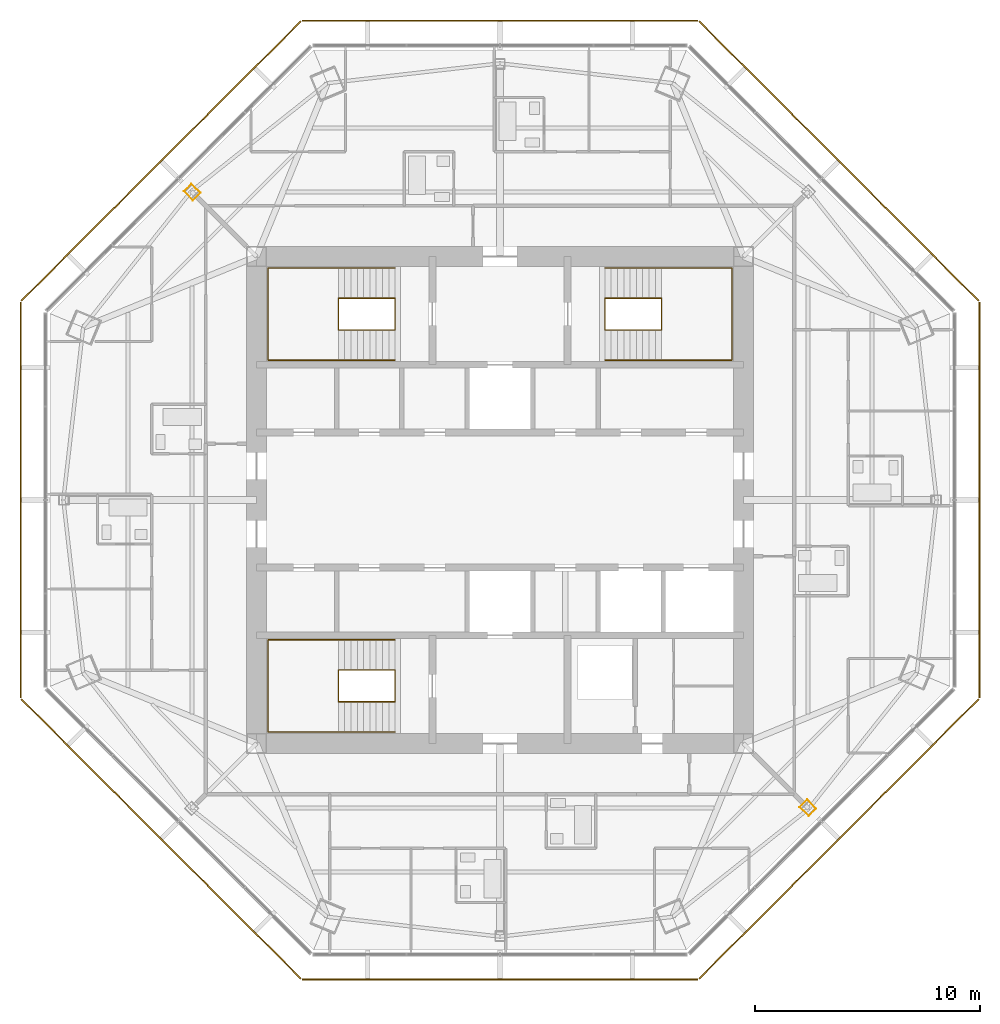
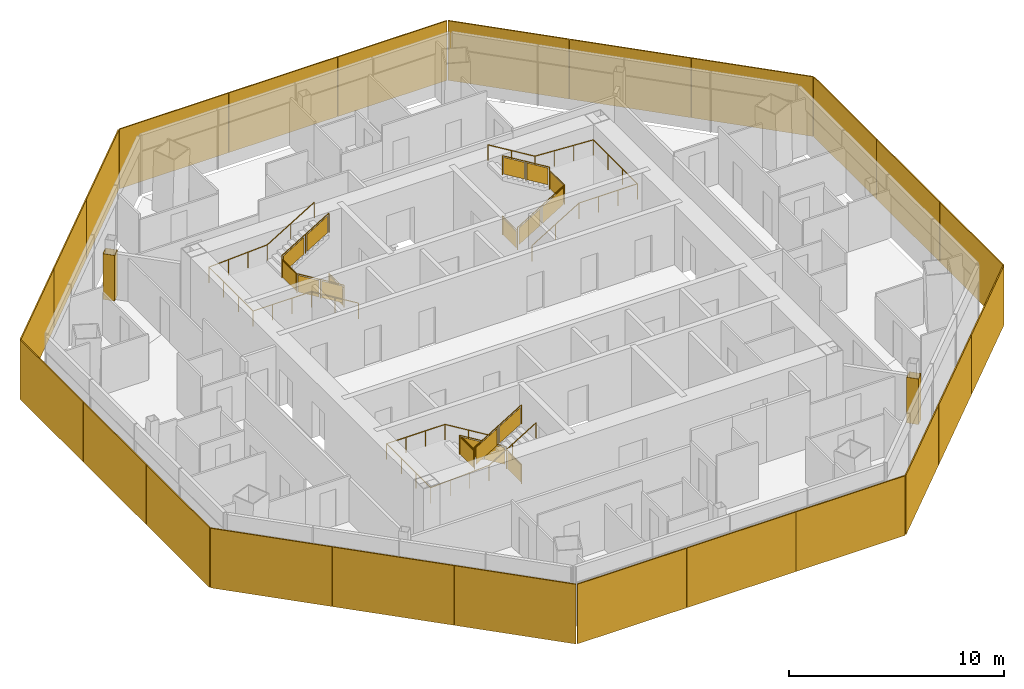
# One storey, part 14 of 15: 24 shading devices, 6 railings, 2 coverings.
"""IFC4 building model written with IfcOpenShell, lengths in metres."""

import ifcopenshell
import ifcopenshell.guid

model = None  # the IFC model being written
_history = None  # IfcOwnerHistory: only IFC2X3 demands one
_inside = {}  # id of a spatial element -> (the spatial element, [elements in it])
_under = {}  # id of a project, library or spatial element -> (it, [spatial elements below it])
_declared = {}  # id of a project -> (the project, [libraries it declares])
_typed = {}  # id of a type object -> (the type object, [elements of that type])
_made_of = {}  # id of a material, layer set ... -> (it, [elements and type objects made of it])


def new_model(schema):
    """Start an empty IFC model of exactly this schema.

    Asked for "IFC4X3", IfcOpenShell would pick the latest addendum, in which some entities
    have other attributes; the version numbers below select the first issue.
    IFC2X3 requires an IfcOwnerHistory on every rooted entity: one is made here for all.
    """
    global model, _history
    if schema == "IFC4X3":
        model = ifcopenshell.file(schema_version=(4, 3, 0, 0))
    else:
        model = ifcopenshell.file(schema=schema)
    _inside.clear()
    _under.clear()
    _declared.clear()
    _typed.clear()
    _made_of.clear()
    _history = None
    if model.schema == "IFC2X3":
        org = make("IfcOrganization", Name="unknown")
        user = make(
            "IfcPersonAndOrganization",
            ThePerson=make("IfcPerson", FamilyName="unknown"),
            TheOrganization=org,
        )
        app = make(
            "IfcApplication",
            ApplicationDeveloper=org,
            Version="unknown",
            ApplicationFullName="unknown",
            ApplicationIdentifier="unknown",
        )
        _history = make(
            "IfcOwnerHistory",
            OwningUser=user,
            OwningApplication=app,
            ChangeAction="ADDED",
            CreationDate=0,
        )
    return model


def make(cls, **values):
    """One entity of the class cls with the attributes given. An attribute that is None is left unset."""
    return model.create_entity(
        cls, **{name: value for name, value in values.items() if value is not None}
    )


def rooted(cls, **values):
    """An entity with a GlobalId (a new one), such as an element, a storey or a relation."""
    return make(cls, GlobalId=ifcopenshell.guid.new(), OwnerHistory=_history, **values)


def si_unit(unit_type, name, prefix=None):
    """IfcSIUnit, for example si_unit("LENGTHUNIT", "METRE", prefix="MILLI")."""
    return make("IfcSIUnit", UnitType=unit_type, Prefix=prefix, Name=name)


def assignment(units):
    """IfcUnitAssignment: the units of a project."""
    return None if units is None else make("IfcUnitAssignment", Units=units)


def point(xyz):
    """IfcCartesianPoint."""
    return None if xyz is None else make("IfcCartesianPoint", Coordinates=xyz)


def direction(xyz):
    """IfcDirection."""
    return None if xyz is None else make("IfcDirection", DirectionRatios=xyz)


def frame(location, z_axis=None, x_axis=None):
    """IfcAxis2Placement3D, a coordinate frame: its origin and axes. An axis left out is left unset."""
    return make(
        "IfcAxis2Placement3D",
        Location=point(location),
        Axis=direction(z_axis),
        RefDirection=direction(x_axis),
    )


def frame_2d(location, x_axis=None):
    """IfcAxis2Placement2D, a coordinate frame in the plane: its origin and x axis."""
    return make(
        "IfcAxis2Placement2D", Location=point(location), RefDirection=direction(x_axis)
    )


def origin():
    """The frame at (0, 0, 0) with its axes left unset."""
    return frame((0.0, 0.0, 0.0))


def origin_2d():
    """The frame at (0, 0) in the plane with its x axis left unset."""
    return frame_2d((0.0, 0.0))


def place(relative_to, where):
    """IfcLocalPlacement: puts the frame where relative to a parent placement (None: the world)."""
    return make(
        "IfcLocalPlacement", PlacementRelTo=relative_to, RelativePlacement=where
    )


def context(
    kind, dimensions, precision=None, world=None, true_north=None, identifier=None
):
    """IfcGeometricRepresentationContext, for example the 3D "Model" context."""
    return make(
        "IfcGeometricRepresentationContext",
        ContextIdentifier=identifier,
        ContextType=kind,
        CoordinateSpaceDimension=dimensions,
        Precision=precision,
        WorldCoordinateSystem=world,
        TrueNorth=true_north,
    )


def subcontext(parent, identifier, kind, view, scale=None):
    """IfcGeometricRepresentationSubContext, for example "Body" below "Model"."""
    return make(
        "IfcGeometricRepresentationSubContext",
        ContextIdentifier=identifier,
        ContextType=kind,
        ParentContext=parent,
        TargetScale=scale,
        TargetView=view,
    )


def project(units=None, contexts=None):
    """IfcProject with its units and contexts."""
    return rooted(
        "IfcProject",
        Name="project",
        RepresentationContexts=contexts,
        UnitsInContext=assignment(units),
    )


def spatial(cls, under=None, at=None, **own):
    """A site, building, storey or space (cls), placed at a placement, below another one or the project."""
    s = rooted(cls, ObjectPlacement=at, **own)
    if under is not None:
        _under.setdefault(under.id(), (under, []))[1].append(s)
    return s


def polyline(points):
    """IfcPolyline through the points."""
    return make("IfcPolyline", Points=[point(p) for p in points])


def profile(cls, at=None, kind="AREA", **sizes):
    """A parametric profile (cls). Its sizes go by their IFC names, for example OverallWidth=200.0."""
    return make(cls, ProfileType=kind, Position=at, **sizes)


def rectangle(**sizes):
    """IfcRectangleProfileDef."""
    return profile("IfcRectangleProfileDef", **sizes)


def circle(**sizes):
    """IfcCircleProfileDef."""
    return profile("IfcCircleProfileDef", **sizes)


def outline(outer, holes=None, kind="AREA"):
    """IfcArbitraryClosedProfileDef: a profile drawn as a closed curve; with holes, ...WithVoids."""
    if holes is None:
        return make("IfcArbitraryClosedProfileDef", ProfileType=kind, OuterCurve=outer)
    return make(
        "IfcArbitraryProfileDefWithVoids",
        ProfileType=kind,
        OuterCurve=outer,
        InnerCurves=holes,
    )


def extrude(swept, where, along, depth):
    """IfcExtrudedAreaSolid: the profile swept, set in the frame where, extruded along a direction by depth."""
    return make(
        "IfcExtrudedAreaSolid",
        SweptArea=swept,
        Position=where,
        ExtrudedDirection=direction(along),
        Depth=depth,
    )


def shape(context_of_items, identifier, shape_type, items):
    """IfcShapeRepresentation: the items that make up one representation, for example the "Body"."""
    return make(
        "IfcShapeRepresentation",
        ContextOfItems=context_of_items,
        RepresentationIdentifier=identifier,
        RepresentationType=shape_type,
        Items=items,
    )


def source(mapping_origin, context_of_items, identifier, shape_type, items):
    """IfcRepresentationMap: a shape defined once, which mapped items show again and again."""
    return make(
        "IfcRepresentationMap",
        MappingOrigin=mapping_origin,
        MappedRepresentation=shape(context_of_items, identifier, shape_type, items),
    )


def transform(
    local_origin,
    x_axis=None,
    y_axis=None,
    z_axis=None,
    scale=None,
    scale2=None,
    scale3=None,
    uniform=True,
):
    """IfcCartesianTransformationOperator3D, or its non-uniform kind. x_axis, y_axis, z_axis: its Axis1, 2, 3."""
    if uniform:
        return make(
            "IfcCartesianTransformationOperator3D",
            Axis1=direction(x_axis),
            Axis2=direction(y_axis),
            LocalOrigin=point(local_origin),
            Scale=scale,
            Axis3=direction(z_axis),
        )
    return make(
        "IfcCartesianTransformationOperator3DnonUniform",
        Axis1=direction(x_axis),
        Axis2=direction(y_axis),
        LocalOrigin=point(local_origin),
        Scale=scale,
        Axis3=direction(z_axis),
        Scale2=scale2,
        Scale3=scale3,
    )


def mapped(mapping_source, mapping_target):
    """IfcMappedItem: shows the shape of a source again, moved by a transform."""
    return make(
        "IfcMappedItem", MappingSource=mapping_source, MappingTarget=mapping_target
    )


def material(Name=None, Category=None):
    """IfcMaterial."""
    return make("IfcMaterial", Name=Name, Category=Category)


def layer(
    of_material, thickness, ventilated=None, Name=None, Category=None, Priority=None
):
    """IfcMaterialLayer: one layer of a wall or slab, of a material (None: an air gap)."""
    return make(
        "IfcMaterialLayer",
        Material=of_material,
        LayerThickness=thickness,
        IsVentilated=ventilated,
        Name=Name,
        Category=Category,
        Priority=Priority,
    )


def layer_set(layers, Name=None):
    """IfcMaterialLayerSet."""
    return make("IfcMaterialLayerSet", MaterialLayers=layers, LayerSetName=Name)


def made_of(thing, what):
    """Note that an element or type object is made of a material, layer set ...; save() writes the relation."""
    if what is not None:
        _made_of.setdefault(what.id(), (what, []))[1].append(thing)
    return thing


def type_object(cls, material=None, **own):
    """A type object (cls), such as IfcWallType, which elements share."""
    return made_of(rooted(cls, **own), material)


def type_shapes(of_type, sources):
    """Give a type object the sources (RepresentationMaps) that its elements show as mapped items."""
    of_type.RepresentationMaps = sources


def element(
    cls,
    number,
    at=None,
    inside=None,
    cuts=None,
    type_object=None,
    material=None,
    context=None,
    identifier="Body",
    shape_type=None,
    held_by="IfcProductDefinitionShape",
    body=None,
    shapes=None,
    **own,
):
    """One element of the class cls, such as IfcWall. Its Tag is "e" and its number.

    at: its placement. inside: the storey or other place that contains it. cuts: it is an
    opening in that element (IfcRelVoidsElement). A single representation is given by context,
    identifier, shape_type and body (its items); several are given by shapes. held_by: the class
    of the entity that holds the representations. save() writes the other relations.
    """
    e = rooted(cls, Tag="e%d" % number, ObjectPlacement=at, **own)
    if body is not None:
        shapes = [shape(context, identifier, shape_type, body)]
    if shapes is not None:
        e.Representation = make(held_by, Representations=shapes)
    if inside is not None:
        _inside.setdefault(inside.id(), (inside, []))[1].append(e)
    if cuts is not None:
        rooted(
            "IfcRelVoidsElement", RelatingBuildingElement=cuts, RelatedOpeningElement=e
        )
    if type_object is not None:
        _typed.setdefault(type_object.id(), (type_object, []))[1].append(e)
    return made_of(e, material)


def aggregate(whole, parts):
    """IfcRelAggregates: a whole, such as a stair, and the parts it consists of."""
    return rooted("IfcRelAggregates", RelatingObject=whole, RelatedObjects=parts)


def save(model, path):
    """Write the relations noted so far, then the file.

    IfcRelAggregates (storeys below a building ...), IfcRelContainedInSpatialStructure (elements
    in a storey), IfcRelDefinesByType, IfcRelAssociatesMaterial and IfcRelDeclares: one each for
    every whole, place, type object, material and project.
    """
    for whole, parts in _under.values():
        aggregate(whole, parts)
    for where, things in _inside.values():
        rooted(
            "IfcRelContainedInSpatialStructure",
            RelatedElements=things,
            RelatingStructure=where,
        )
    for kind, things in _typed.values():
        rooted("IfcRelDefinesByType", RelatedObjects=things, RelatingType=kind)
    for what, things in _made_of.values():
        rooted("IfcRelAssociatesMaterial", RelatedObjects=things, RelatingMaterial=what)
    for by, libraries in _declared.values():
        rooted("IfcRelDeclares", RelatingContext=by, RelatedDefinitions=libraries)
    model.write(path)


model = new_model("IFC4")

# Units and contexts
model_context = context("Model", 3, precision=1e-05, world=origin(), true_north=direction((0.0, 1.0)))
body_context = subcontext(model_context, "Body", "Model", "MODEL_VIEW")
ifc_project = project(units=[si_unit("LENGTHUNIT", "METRE"), si_unit("AREAUNIT", "SQUARE_METRE"), si_unit("VOLUMEUNIT", "CUBIC_METRE"), si_unit("PLANEANGLEUNIT", "RADIAN"), si_unit("MASSUNIT", "GRAM", prefix="KILO")], contexts=[model_context])

# Site, building, storey
site_placement = place(None, origin())
site = spatial("IfcSite", under=ifc_project, at=site_placement, CompositionType="ELEMENT")
building_placement = place(site_placement, origin())
building = spatial("IfcBuilding", under=site, at=building_placement, Name="Mashrafa Tower", CompositionType="ELEMENT")
storey_placement = place(building_placement, frame((0.0, 0.0, 277.60009765625)))
storey = spatial("IfcBuildingStorey", under=building, at=storey_placement, Name="L67", CompositionType="ELEMENT", Elevation=277.60009765625)

# Coverings
ifc_material_1 = material(Name="Gypsum board")
ifc_layer_1 = layer(ifc_material_1, 0.014892578125)
ifc_layer_set_1 = layer_set([ifc_layer_1], Name="Column casing plasterboard 15")
covering_type = type_object("IfcCoveringType", Name="Column casing plasterboard 15", PredefinedType="CLADDING", material=ifc_layer_set_1)
covering_1_placement = place(storey_placement, origin())
element("IfcCovering", 1, at=covering_1_placement, inside=storey, type_object=covering_type, Name="Column casing L67-001", PredefinedType="CLADDING", context=body_context, shape_type="SweptSolid", body=[
    extrude(outline(polyline([(-14.0302734375, 13.69091796875), (-13.69091796875, 14.0302734375), (-13.283447265625, 13.622802734375), (-13.622802734375, 13.283447265625), (-14.0302734375, 13.69091796875)]), holes=[polyline([(-13.3046875, 13.622802734375), (-13.69091796875, 14.009033203125), (-14.009033203125, 13.69091796875), (-13.622802734375, 13.3046875), (-13.3046875, 13.622802734375)])]), origin(), (0.0, 0.0, 1.0), 2.590576171875),
])
covering_2_placement = place(storey_placement, origin())
element("IfcCovering", 2, at=covering_2_placement, inside=storey, type_object=covering_type, Name="Column casing L67-002", PredefinedType="CLADDING", context=body_context, shape_type="SweptSolid", body=[
    extrude(outline(polyline([(13.283447265625, -13.622802734375), (13.622802734375, -13.283447265625), (14.0302734375, -13.69091796875), (13.69091796875, -14.0302734375), (13.283447265625, -13.622802734375)]), holes=[polyline([(14.009033203125, -13.69091796875), (13.622802734375, -13.3046875), (13.3046875, -13.622802734375), (13.69091796875, -14.009033203125), (14.009033203125, -13.69091796875)])]), origin(), (0.0, 0.0, 1.0), 2.590576171875),
])

# Railings
ifc_material_2 = material(Name="Steel guard with glass infill", Category="steel")
railing_type_1 = type_object("IfcRailingType", Name="Stair guard 1100", PredefinedType="GUARDRAIL", material=ifc_material_2)
railing_1_placement = place(storey_placement, frame((-4.64990234375, 8.949951171875, 0.0)))
element("IfcRailing", 3, at=railing_1_placement, inside=storey, type_object=railing_type_1, Name="Stair S1 guard L67", PredefinedType="GUARDRAIL", context=body_context, shape_type="SweptSolid", body=[
    extrude(circle(Radius=0.02392578125, at=origin_2d()), frame((0.0, 0.0, 1.076171875), z_axis=(0.0, -1.0, 0.0), x_axis=(1.0, 0.0, 0.0)), (0.0, 0.0, 1.0), 1.39990234375),
    extrude(circle(Radius=0.02392578125, at=origin_2d()), frame((0.0, -1.39990234375, 1.076171875), z_axis=(0.0, 0.0, 1.0), x_axis=(1.0, 0.0, 0.0)), (0.0, 0.0, 1.0), 0.169921875),
    extrude(circle(Radius=0.02392578125, at=origin_2d()), frame((0.0, -1.39990234375, 1.24609375), z_axis=(-0.85478489116, 0.0, 0.518982456201), x_axis=(0.0, -1.0, 0.0)), (0.0, 0.0, 1.0), 2.9482421875),
    extrude(circle(Radius=0.02392578125, at=origin_2d()), frame((-2.52001953125, -1.39990234375, 2.77587890625), z_axis=(0.0, 1.0, 0.0), x_axis=(-1.0, 0.0, 0.0)), (0.0, 0.0, 1.0), 1.39990234375),
    extrude(circle(Radius=0.02392578125, at=origin_2d()), frame((-2.52001953125, 0.0, 2.77587890625), z_axis=(0.0, 0.0, 1.0), x_axis=(1.0, 0.0, 0.0)), (0.0, 0.0, 1.0), 0.169921875),
    extrude(circle(Radius=0.02392578125, at=origin_2d()), frame((-2.52001953125, 0.0, 2.94580078125), z_axis=(0.85478489116, 0.0, 0.518982456201), x_axis=(0.0, 1.0, 0.0)), (0.0, 0.0, 1.0), 2.9482421875),
    extrude(circle(Radius=0.02099609375, at=origin_2d()), origin(), (0.0, 0.0, 1.0), 1.052001953125),
    extrude(circle(Radius=0.02099609375, at=origin_2d()), frame((0.0, -1.39990234375, 0.0)), (0.0, 0.0, 1.0), 1.052001953125),
    extrude(circle(Radius=0.02099609375, at=origin_2d()), frame((0.0, -1.39990234375, 0.169921875)), (0.0, 0.0, 1.0), 1.052001953125),
    extrude(circle(Radius=0.02099609375, at=origin_2d()), frame((-1.260009765625, -1.39990234375, 0.93505859375)), (0.0, 0.0, 1.0), 1.052001953125),
    extrude(circle(Radius=0.02099609375, at=origin_2d()), frame((-2.52001953125, -1.39990234375, 1.699951171875)), (0.0, 0.0, 1.0), 1.052001953125),
    extrude(circle(Radius=0.02099609375, at=origin_2d()), frame((-2.52001953125, 0.0, 1.699951171875)), (0.0, 0.0, 1.0), 1.052001953125),
    extrude(circle(Radius=0.02099609375, at=origin_2d()), frame((-2.52001953125, 0.0, 1.869873046875)), (0.0, 0.0, 1.0), 1.052001953125),
    extrude(circle(Radius=0.02099609375, at=origin_2d()), frame((-1.260009765625, 0.0, 2.634765625)), (0.0, 0.0, 1.0), 1.052001953125),
    extrude(circle(Radius=0.02099609375, at=origin_2d()), frame((0.0, 0.0, 3.39990234375)), (0.0, 0.0, 1.0), 1.052001953125),
    extrude(outline(polyline([(0.071044921875, 0.050048828125), (1.328857421875, 0.050048828125), (1.328857421875, 1.001953125), (0.071044921875, 1.001953125), (0.071044921875, 0.050048828125)])), frame((-0.006103515625, 0.0, 0.0), z_axis=(-1.0, 0.0, 0.0), x_axis=(0.0, -1.0, 0.0)), (0.0, 0.0, 1.0), 0.011962890625),
    extrude(outline(polyline([(0.071044921875, 0.093017578125), (1.18896484375, 0.77197265625), (1.18896484375, 1.723876953125), (0.071044921875, 1.045166015625), (0.071044921875, 0.093017578125)])), frame((0.0, -1.393798828125, 0.169921875), z_axis=(0.0, 1.0, 0.0), x_axis=(-1.0, 0.0, 0.0)), (0.0, 0.0, 1.0), 0.011962890625),
    extrude(outline(polyline([(1.3310546875, 0.858154296875), (2.448974609375, 1.536865234375), (2.448974609375, 2.489013671875), (1.3310546875, 1.81005859375), (1.3310546875, 0.858154296875)])), frame((0.0, -1.393798828125, 0.169921875), z_axis=(0.0, 1.0, 0.0), x_axis=(-1.0, 0.0, 0.0)), (0.0, 0.0, 1.0), 0.011962890625),
    extrude(outline(polyline([(0.071044921875, 0.050048828125), (1.328857421875, 0.050048828125), (1.328857421875, 1.001953125), (0.071044921875, 1.001953125), (0.071044921875, 0.050048828125)])), frame((-2.513916015625, -1.39990234375, 1.699951171875), z_axis=(1.0, 0.0, 0.0), x_axis=(0.0, 1.0, 0.0)), (0.0, 0.0, 1.0), 0.011962890625),
    extrude(outline(polyline([(0.071044921875, 0.093017578125), (1.18896484375, 0.77197265625), (1.18896484375, 1.723876953125), (0.071044921875, 1.045166015625), (0.071044921875, 0.093017578125)])), frame((-2.52001953125, -0.006103515625, 1.869873046875), z_axis=(0.0, -1.0, 0.0), x_axis=(1.0, 0.0, 0.0)), (0.0, 0.0, 1.0), 0.011962890625),
    extrude(outline(polyline([(1.3310546875, 0.858154296875), (2.448974609375, 1.536865234375), (2.448974609375, 2.489013671875), (1.3310546875, 1.81005859375), (1.3310546875, 0.858154296875)])), frame((-2.52001953125, -0.006103515625, 1.869873046875), z_axis=(0.0, -1.0, 0.0), x_axis=(1.0, 0.0, 0.0)), (0.0, 0.0, 1.0), 0.011962890625),
])
railing_2_placement = place(storey_placement, frame((4.64990234375, 8.949951171875, 0.0)))
element("IfcRailing", 4, at=railing_2_placement, inside=storey, type_object=railing_type_1, Name="Stair S2 guard L67", PredefinedType="GUARDRAIL", context=body_context, shape_type="SweptSolid", body=[
    extrude(circle(Radius=0.02392578125, at=origin_2d()), frame((0.0, 0.0, 1.076171875), z_axis=(0.0, -1.0, 0.0), x_axis=(1.0, 0.0, 0.0)), (0.0, 0.0, 1.0), 1.39990234375),
    extrude(circle(Radius=0.02392578125, at=origin_2d()), frame((0.0, -1.39990234375, 1.076171875), z_axis=(0.0, 0.0, 1.0), x_axis=(1.0, 0.0, 0.0)), (0.0, 0.0, 1.0), 0.169921875),
    extrude(circle(Radius=0.02392578125, at=origin_2d()), frame((0.0, -1.39990234375, 1.24609375), z_axis=(0.85478489116, 0.0, 0.518982456201), x_axis=(0.0, 1.0, 0.0)), (0.0, 0.0, 1.0), 2.9482421875),
    extrude(circle(Radius=0.02392578125, at=origin_2d()), frame((2.52001953125, -1.39990234375, 2.77587890625), z_axis=(0.0, 1.0, 0.0), x_axis=(-1.0, 0.0, 0.0)), (0.0, 0.0, 1.0), 1.39990234375),
    extrude(circle(Radius=0.02392578125, at=origin_2d()), frame((2.52001953125, 0.0, 2.77587890625), z_axis=(0.0, 0.0, 1.0), x_axis=(1.0, 0.0, 0.0)), (0.0, 0.0, 1.0), 0.169921875),
    extrude(circle(Radius=0.02392578125, at=origin_2d()), frame((2.52001953125, 0.0, 2.94580078125), z_axis=(-0.85478489116, 0.0, 0.518982456201), x_axis=(0.0, -1.0, 0.0)), (0.0, 0.0, 1.0), 2.9482421875),
    extrude(circle(Radius=0.02099609375, at=origin_2d()), origin(), (0.0, 0.0, 1.0), 1.052001953125),
    extrude(circle(Radius=0.02099609375, at=origin_2d()), frame((0.0, -1.39990234375, 0.0)), (0.0, 0.0, 1.0), 1.052001953125),
    extrude(circle(Radius=0.02099609375, at=origin_2d()), frame((0.0, -1.39990234375, 0.169921875)), (0.0, 0.0, 1.0), 1.052001953125),
    extrude(circle(Radius=0.02099609375, at=origin_2d()), frame((1.260009765625, -1.39990234375, 0.93505859375)), (0.0, 0.0, 1.0), 1.052001953125),
    extrude(circle(Radius=0.02099609375, at=origin_2d()), frame((2.52001953125, -1.39990234375, 1.699951171875)), (0.0, 0.0, 1.0), 1.052001953125),
    extrude(circle(Radius=0.02099609375, at=origin_2d()), frame((2.52001953125, 0.0, 1.699951171875)), (0.0, 0.0, 1.0), 1.052001953125),
    extrude(circle(Radius=0.02099609375, at=origin_2d()), frame((2.52001953125, 0.0, 1.869873046875)), (0.0, 0.0, 1.0), 1.052001953125),
    extrude(circle(Radius=0.02099609375, at=origin_2d()), frame((1.260009765625, 0.0, 2.634765625)), (0.0, 0.0, 1.0), 1.052001953125),
    extrude(circle(Radius=0.02099609375, at=origin_2d()), frame((0.0, 0.0, 3.39990234375)), (0.0, 0.0, 1.0), 1.052001953125),
    extrude(outline(polyline([(0.071044921875, 0.050048828125), (1.328857421875, 0.050048828125), (1.328857421875, 1.001953125), (0.071044921875, 1.001953125), (0.071044921875, 0.050048828125)])), frame((-0.006103515625, 0.0, 0.0), z_axis=(-1.0, 0.0, 0.0), x_axis=(0.0, -1.0, 0.0)), (0.0, 0.0, 1.0), 0.011962890625),
    extrude(outline(polyline([(0.071044921875, 0.093017578125), (1.18896484375, 0.77197265625), (1.18896484375, 1.723876953125), (0.071044921875, 1.045166015625), (0.071044921875, 0.093017578125)])), frame((0.0, -1.406005859375, 0.169921875), z_axis=(0.0, -1.0, 0.0), x_axis=(1.0, 0.0, 0.0)), (0.0, 0.0, 1.0), 0.011962890625),
    extrude(outline(polyline([(1.3310546875, 0.858154296875), (2.448974609375, 1.536865234375), (2.448974609375, 2.489013671875), (1.3310546875, 1.81005859375), (1.3310546875, 0.858154296875)])), frame((0.0, -1.406005859375, 0.169921875), z_axis=(0.0, -1.0, 0.0), x_axis=(1.0, 0.0, 0.0)), (0.0, 0.0, 1.0), 0.011962890625),
    extrude(outline(polyline([(0.071044921875, 0.050048828125), (1.328857421875, 0.050048828125), (1.328857421875, 1.001953125), (0.071044921875, 1.001953125), (0.071044921875, 0.050048828125)])), frame((2.526123046875, -1.39990234375, 1.699951171875), z_axis=(1.0, 0.0, 0.0), x_axis=(0.0, 1.0, 0.0)), (0.0, 0.0, 1.0), 0.011962890625),
    extrude(outline(polyline([(0.071044921875, 0.093017578125), (1.18896484375, 0.77197265625), (1.18896484375, 1.723876953125), (0.071044921875, 1.045166015625), (0.071044921875, 0.093017578125)])), frame((2.52001953125, 0.006103515625, 1.869873046875), z_axis=(0.0, 1.0, 0.0), x_axis=(-1.0, 0.0, 0.0)), (0.0, 0.0, 1.0), 0.011962890625),
    extrude(outline(polyline([(1.3310546875, 0.858154296875), (2.448974609375, 1.536865234375), (2.448974609375, 2.489013671875), (1.3310546875, 1.81005859375), (1.3310546875, 0.858154296875)])), frame((2.52001953125, 0.006103515625, 1.869873046875), z_axis=(0.0, 1.0, 0.0), x_axis=(-1.0, 0.0, 0.0)), (0.0, 0.0, 1.0), 0.011962890625),
])
railing_3_placement = place(storey_placement, frame((-4.64990234375, -8.949951171875, 0.0)))
element("IfcRailing", 5, at=railing_3_placement, inside=storey, type_object=railing_type_1, Name="Stair S3 guard L67", PredefinedType="GUARDRAIL", context=body_context, shape_type="SweptSolid", body=[
    extrude(circle(Radius=0.02392578125, at=origin_2d()), frame((0.0, 0.0, 1.076171875), z_axis=(0.0, 1.0, 0.0), x_axis=(-1.0, 0.0, 0.0)), (0.0, 0.0, 1.0), 1.39990234375),
    extrude(circle(Radius=0.02392578125, at=origin_2d()), frame((0.0, 1.39990234375, 1.076171875), z_axis=(0.0, 0.0, 1.0), x_axis=(1.0, 0.0, 0.0)), (0.0, 0.0, 1.0), 0.169921875),
    extrude(circle(Radius=0.02392578125, at=origin_2d()), frame((0.0, 1.39990234375, 1.24609375), z_axis=(-0.85478489116, 0.0, 0.518982456201), x_axis=(0.0, -1.0, 0.0)), (0.0, 0.0, 1.0), 2.9482421875),
    extrude(circle(Radius=0.02392578125, at=origin_2d()), frame((-2.52001953125, 1.39990234375, 2.77587890625), z_axis=(0.0, -1.0, 0.0), x_axis=(1.0, 0.0, 0.0)), (0.0, 0.0, 1.0), 1.39990234375),
    extrude(circle(Radius=0.02392578125, at=origin_2d()), frame((-2.52001953125, 0.0, 2.77587890625), z_axis=(0.0, 0.0, 1.0), x_axis=(1.0, 0.0, 0.0)), (0.0, 0.0, 1.0), 0.169921875),
    extrude(circle(Radius=0.02392578125, at=origin_2d()), frame((-2.52001953125, 0.0, 2.94580078125), z_axis=(0.85478489116, 0.0, 0.518982456201), x_axis=(0.0, 1.0, 0.0)), (0.0, 0.0, 1.0), 2.9482421875),
    extrude(circle(Radius=0.02099609375, at=origin_2d()), origin(), (0.0, 0.0, 1.0), 1.052001953125),
    extrude(circle(Radius=0.02099609375, at=origin_2d()), frame((0.0, 1.39990234375, 0.0)), (0.0, 0.0, 1.0), 1.052001953125),
    extrude(circle(Radius=0.02099609375, at=origin_2d()), frame((0.0, 1.39990234375, 0.169921875)), (0.0, 0.0, 1.0), 1.052001953125),
    extrude(circle(Radius=0.02099609375, at=origin_2d()), frame((-1.260009765625, 1.39990234375, 0.93505859375)), (0.0, 0.0, 1.0), 1.052001953125),
    extrude(circle(Radius=0.02099609375, at=origin_2d()), frame((-2.52001953125, 1.39990234375, 1.699951171875)), (0.0, 0.0, 1.0), 1.052001953125),
    extrude(circle(Radius=0.02099609375, at=origin_2d()), frame((-2.52001953125, 0.0, 1.699951171875)), (0.0, 0.0, 1.0), 1.052001953125),
    extrude(circle(Radius=0.02099609375, at=origin_2d()), frame((-2.52001953125, 0.0, 1.869873046875)), (0.0, 0.0, 1.0), 1.052001953125),
    extrude(circle(Radius=0.02099609375, at=origin_2d()), frame((-1.260009765625, 0.0, 2.634765625)), (0.0, 0.0, 1.0), 1.052001953125),
    extrude(circle(Radius=0.02099609375, at=origin_2d()), frame((0.0, 0.0, 3.39990234375)), (0.0, 0.0, 1.0), 1.052001953125),
    extrude(outline(polyline([(0.071044921875, 0.050048828125), (1.328857421875, 0.050048828125), (1.328857421875, 1.001953125), (0.071044921875, 1.001953125), (0.071044921875, 0.050048828125)])), frame((0.006103515625, 0.0, 0.0), z_axis=(1.0, 0.0, 0.0), x_axis=(0.0, 1.0, 0.0)), (0.0, 0.0, 1.0), 0.011962890625),
    extrude(outline(polyline([(0.071044921875, 0.093017578125), (1.18896484375, 0.77197265625), (1.18896484375, 1.723876953125), (0.071044921875, 1.045166015625), (0.071044921875, 0.093017578125)])), frame((0.0, 1.406005859375, 0.169921875), z_axis=(0.0, 1.0, 0.0), x_axis=(-1.0, 0.0, 0.0)), (0.0, 0.0, 1.0), 0.011962890625),
    extrude(outline(polyline([(1.3310546875, 0.858154296875), (2.448974609375, 1.536865234375), (2.448974609375, 2.489013671875), (1.3310546875, 1.81005859375), (1.3310546875, 0.858154296875)])), frame((0.0, 1.406005859375, 0.169921875), z_axis=(0.0, 1.0, 0.0), x_axis=(-1.0, 0.0, 0.0)), (0.0, 0.0, 1.0), 0.011962890625),
    extrude(outline(polyline([(0.071044921875, 0.050048828125), (1.328857421875, 0.050048828125), (1.328857421875, 1.001953125), (0.071044921875, 1.001953125), (0.071044921875, 0.050048828125)])), frame((-2.526123046875, 1.39990234375, 1.699951171875), z_axis=(-1.0, 0.0, 0.0), x_axis=(0.0, -1.0, 0.0)), (0.0, 0.0, 1.0), 0.011962890625),
    extrude(outline(polyline([(0.071044921875, 0.093017578125), (1.18896484375, 0.77197265625), (1.18896484375, 1.723876953125), (0.071044921875, 1.045166015625), (0.071044921875, 0.093017578125)])), frame((-2.52001953125, -0.006103515625, 1.869873046875), z_axis=(0.0, -1.0, 0.0), x_axis=(1.0, 0.0, 0.0)), (0.0, 0.0, 1.0), 0.011962890625),
    extrude(outline(polyline([(1.3310546875, 0.858154296875), (2.448974609375, 1.536865234375), (2.448974609375, 2.489013671875), (1.3310546875, 1.81005859375), (1.3310546875, 0.858154296875)])), frame((-2.52001953125, -0.006103515625, 1.869873046875), z_axis=(0.0, -1.0, 0.0), x_axis=(1.0, 0.0, 0.0)), (0.0, 0.0, 1.0), 0.011962890625),
])
ifc_material_3 = material(Name="Steel", Category="steel")
railing_type_2 = type_object("IfcRailingType", Name="Stair handrail 900", PredefinedType="HANDRAIL", material=ifc_material_3)
railing_4_placement = place(storey_placement, frame((-4.64990234375, 6.199951171875, 0.169921875)))
element("IfcRailing", 6, at=railing_4_placement, inside=storey, type_object=railing_type_2, Name="Stair S1 handrail L67", PredefinedType="HANDRAIL", context=body_context, shape_type="SweptSolid", body=[
    extrude(circle(Radius=0.02392578125, at=origin_2d()), frame((0.0, 0.0, 0.8759765625), z_axis=(-0.85478489116, 0.0, 0.518982456201), x_axis=(0.0, -1.0, 0.0)), (0.0, 0.0, 1.0), 2.9482421875),
    extrude(circle(Radius=0.02392578125, at=origin_2d()), frame((-2.52001953125, 0.0, 2.40576171875), z_axis=(-1.0, 0.0, 0.0), x_axis=(0.0, -1.0, 0.0)), (0.0, 0.0, 1.0), 3.130126953125),
    extrude(circle(Radius=0.02392578125, at=origin_2d()), frame((-5.650146484375, 0.0, 2.40576171875), z_axis=(0.0, 1.0, 0.0), x_axis=(-1.0, 0.0, 0.0)), (0.0, 0.0, 1.0), 4.10009765625),
    extrude(circle(Radius=0.02392578125, at=origin_2d()), frame((-5.650146484375, 4.10009765625, 2.40576171875), z_axis=(0.998529767259, 0.0, 0.054206124172), x_axis=(0.0, 1.0, 0.0)), (0.0, 0.0, 1.0), 3.134765625),
    extrude(circle(Radius=0.02392578125, at=origin_2d()), frame((-2.52001953125, 4.10009765625, 2.57568359375), z_axis=(0.85478489116, 0.0, 0.518982456201), x_axis=(0.0, 1.0, 0.0)), (0.0, 0.0, 1.0), 2.9482421875),
    extrude(circle(Radius=0.02099609375, at=origin_2d()), origin(), (0.0, 0.0, 1.0), 0.851806640625),
    extrude(circle(Radius=0.02099609375, at=origin_2d()), frame((-1.260009765625, 0.0, 0.76513671875)), (0.0, 0.0, 1.0), 0.851806640625),
    extrude(circle(Radius=0.02099609375, at=origin_2d()), frame((-2.52001953125, 0.0, 1.530029296875)), (0.0, 0.0, 1.0), 0.851806640625),
    extrude(circle(Radius=0.02099609375, at=origin_2d()), frame((-3.5634765625, 0.0, 1.530029296875)), (0.0, 0.0, 1.0), 0.851806640625),
    extrude(circle(Radius=0.02099609375, at=origin_2d()), frame((-4.606689453125, 0.0, 1.530029296875)), (0.0, 0.0, 1.0), 0.851806640625),
    extrude(circle(Radius=0.02099609375, at=origin_2d()), frame((-5.650146484375, 0.0, 1.530029296875)), (0.0, 0.0, 1.0), 0.851806640625),
    extrude(circle(Radius=0.02099609375, at=origin_2d()), frame((-5.650146484375, 1.36669921875, 1.530029296875)), (0.0, 0.0, 1.0), 0.851806640625),
    extrude(circle(Radius=0.02099609375, at=origin_2d()), frame((-5.650146484375, 2.7333984375, 1.530029296875)), (0.0, 0.0, 1.0), 0.851806640625),
    extrude(circle(Radius=0.02099609375, at=origin_2d()), frame((-5.650146484375, 4.10009765625, 1.530029296875)), (0.0, 0.0, 1.0), 0.851806640625),
    extrude(circle(Radius=0.02099609375, at=origin_2d()), frame((-4.606689453125, 4.10009765625, 1.586669921875)), (0.0, 0.0, 1.0), 0.851806640625),
    extrude(circle(Radius=0.02099609375, at=origin_2d()), frame((-3.5634765625, 4.10009765625, 1.643310546875)), (0.0, 0.0, 1.0), 0.851806640625),
    extrude(circle(Radius=0.02099609375, at=origin_2d()), frame((-2.52001953125, 4.10009765625, 1.699951171875)), (0.0, 0.0, 1.0), 0.851806640625),
    extrude(circle(Radius=0.02099609375, at=origin_2d()), frame((-1.260009765625, 4.10009765625, 2.46484375)), (0.0, 0.0, 1.0), 0.851806640625),
    extrude(circle(Radius=0.02099609375, at=origin_2d()), frame((0.0, 4.10009765625, 3.22998046875)), (0.0, 0.0, 1.0), 0.851806640625),
])
railing_5_placement = place(storey_placement, frame((4.64990234375, 6.199951171875, 0.169921875)))
element("IfcRailing", 7, at=railing_5_placement, inside=storey, type_object=railing_type_2, Name="Stair S2 handrail L67", PredefinedType="HANDRAIL", context=body_context, shape_type="SweptSolid", body=[
    extrude(circle(Radius=0.02392578125, at=origin_2d()), frame((0.0, 0.0, 0.8759765625), z_axis=(0.85478489116, 0.0, 0.518982456201), x_axis=(0.0, 1.0, 0.0)), (0.0, 0.0, 1.0), 2.9482421875),
    extrude(circle(Radius=0.02392578125, at=origin_2d()), frame((2.52001953125, 0.0, 2.40576171875), z_axis=(1.0, 0.0, 0.0), x_axis=(0.0, 1.0, 0.0)), (0.0, 0.0, 1.0), 3.130126953125),
    extrude(circle(Radius=0.02392578125, at=origin_2d()), frame((5.650146484375, 0.0, 2.40576171875), z_axis=(0.0, 1.0, 0.0), x_axis=(-1.0, 0.0, 0.0)), (0.0, 0.0, 1.0), 4.10009765625),
    extrude(circle(Radius=0.02392578125, at=origin_2d()), frame((5.650146484375, 4.10009765625, 2.40576171875), z_axis=(-0.998529767259, 0.0, 0.054206124172), x_axis=(0.0, -1.0, 0.0)), (0.0, 0.0, 1.0), 3.134765625),
    extrude(circle(Radius=0.02392578125, at=origin_2d()), frame((2.52001953125, 4.10009765625, 2.57568359375), z_axis=(-0.85478489116, 0.0, 0.518982456201), x_axis=(0.0, -1.0, 0.0)), (0.0, 0.0, 1.0), 2.9482421875),
    extrude(circle(Radius=0.02099609375, at=origin_2d()), origin(), (0.0, 0.0, 1.0), 0.851806640625),
    extrude(circle(Radius=0.02099609375, at=origin_2d()), frame((1.260009765625, 0.0, 0.76513671875)), (0.0, 0.0, 1.0), 0.851806640625),
    extrude(circle(Radius=0.02099609375, at=origin_2d()), frame((2.52001953125, 0.0, 1.530029296875)), (0.0, 0.0, 1.0), 0.851806640625),
    extrude(circle(Radius=0.02099609375, at=origin_2d()), frame((3.5634765625, 0.0, 1.530029296875)), (0.0, 0.0, 1.0), 0.851806640625),
    extrude(circle(Radius=0.02099609375, at=origin_2d()), frame((4.606689453125, 0.0, 1.530029296875)), (0.0, 0.0, 1.0), 0.851806640625),
    extrude(circle(Radius=0.02099609375, at=origin_2d()), frame((5.650146484375, 0.0, 1.530029296875)), (0.0, 0.0, 1.0), 0.851806640625),
    extrude(circle(Radius=0.02099609375, at=origin_2d()), frame((5.650146484375, 1.36669921875, 1.530029296875)), (0.0, 0.0, 1.0), 0.851806640625),
    extrude(circle(Radius=0.02099609375, at=origin_2d()), frame((5.650146484375, 2.7333984375, 1.530029296875)), (0.0, 0.0, 1.0), 0.851806640625),
    extrude(circle(Radius=0.02099609375, at=origin_2d()), frame((5.650146484375, 4.10009765625, 1.530029296875)), (0.0, 0.0, 1.0), 0.851806640625),
    extrude(circle(Radius=0.02099609375, at=origin_2d()), frame((4.606689453125, 4.10009765625, 1.586669921875)), (0.0, 0.0, 1.0), 0.851806640625),
    extrude(circle(Radius=0.02099609375, at=origin_2d()), frame((3.5634765625, 4.10009765625, 1.643310546875)), (0.0, 0.0, 1.0), 0.851806640625),
    extrude(circle(Radius=0.02099609375, at=origin_2d()), frame((2.52001953125, 4.10009765625, 1.699951171875)), (0.0, 0.0, 1.0), 0.851806640625),
    extrude(circle(Radius=0.02099609375, at=origin_2d()), frame((1.260009765625, 4.10009765625, 2.46484375)), (0.0, 0.0, 1.0), 0.851806640625),
    extrude(circle(Radius=0.02099609375, at=origin_2d()), frame((0.0, 4.10009765625, 3.22998046875)), (0.0, 0.0, 1.0), 0.851806640625),
])
railing_6_placement = place(storey_placement, frame((-4.64990234375, -6.199951171875, 0.169921875)))
element("IfcRailing", 8, at=railing_6_placement, inside=storey, type_object=railing_type_2, Name="Stair S3 handrail L67", PredefinedType="HANDRAIL", context=body_context, shape_type="SweptSolid", body=[
    extrude(circle(Radius=0.02392578125, at=origin_2d()), frame((0.0, 0.0, 0.8759765625), z_axis=(-0.85478489116, 0.0, 0.518982456201), x_axis=(0.0, -1.0, 0.0)), (0.0, 0.0, 1.0), 2.9482421875),
    extrude(circle(Radius=0.02392578125, at=origin_2d()), frame((-2.52001953125, 0.0, 2.40576171875), z_axis=(-1.0, 0.0, 0.0), x_axis=(0.0, -1.0, 0.0)), (0.0, 0.0, 1.0), 3.130126953125),
    extrude(circle(Radius=0.02392578125, at=origin_2d()), frame((-5.650146484375, 0.0, 2.40576171875), z_axis=(0.0, -1.0, 0.0), x_axis=(1.0, 0.0, 0.0)), (0.0, 0.0, 1.0), 4.10009765625),
    extrude(circle(Radius=0.02392578125, at=origin_2d()), frame((-5.650146484375, -4.10009765625, 2.40576171875), z_axis=(0.998529767259, 0.0, 0.054206124172), x_axis=(0.0, 1.0, 0.0)), (0.0, 0.0, 1.0), 3.134765625),
    extrude(circle(Radius=0.02392578125, at=origin_2d()), frame((-2.52001953125, -4.10009765625, 2.57568359375), z_axis=(0.85478489116, 0.0, 0.518982456201), x_axis=(0.0, 1.0, 0.0)), (0.0, 0.0, 1.0), 2.9482421875),
    extrude(circle(Radius=0.02099609375, at=origin_2d()), origin(), (0.0, 0.0, 1.0), 0.851806640625),
    extrude(circle(Radius=0.02099609375, at=origin_2d()), frame((-1.260009765625, 0.0, 0.76513671875)), (0.0, 0.0, 1.0), 0.851806640625),
    extrude(circle(Radius=0.02099609375, at=origin_2d()), frame((-2.52001953125, 0.0, 1.530029296875)), (0.0, 0.0, 1.0), 0.851806640625),
    extrude(circle(Radius=0.02099609375, at=origin_2d()), frame((-3.5634765625, 0.0, 1.530029296875)), (0.0, 0.0, 1.0), 0.851806640625),
    extrude(circle(Radius=0.02099609375, at=origin_2d()), frame((-4.606689453125, 0.0, 1.530029296875)), (0.0, 0.0, 1.0), 0.851806640625),
    extrude(circle(Radius=0.02099609375, at=origin_2d()), frame((-5.650146484375, 0.0, 1.530029296875)), (0.0, 0.0, 1.0), 0.851806640625),
    extrude(circle(Radius=0.02099609375, at=origin_2d()), frame((-5.650146484375, -1.36669921875, 1.530029296875)), (0.0, 0.0, 1.0), 0.851806640625),
    extrude(circle(Radius=0.02099609375, at=origin_2d()), frame((-5.650146484375, -2.7333984375, 1.530029296875)), (0.0, 0.0, 1.0), 0.851806640625),
    extrude(circle(Radius=0.02099609375, at=origin_2d()), frame((-5.650146484375, -4.10009765625, 1.530029296875)), (0.0, 0.0, 1.0), 0.851806640625),
    extrude(circle(Radius=0.02099609375, at=origin_2d()), frame((-4.606689453125, -4.10009765625, 1.586669921875)), (0.0, 0.0, 1.0), 0.851806640625),
    extrude(circle(Radius=0.02099609375, at=origin_2d()), frame((-3.5634765625, -4.10009765625, 1.643310546875)), (0.0, 0.0, 1.0), 0.851806640625),
    extrude(circle(Radius=0.02099609375, at=origin_2d()), frame((-2.52001953125, -4.10009765625, 1.699951171875)), (0.0, 0.0, 1.0), 0.851806640625),
    extrude(circle(Radius=0.02099609375, at=origin_2d()), frame((-1.260009765625, -4.10009765625, 2.46484375)), (0.0, 0.0, 1.0), 0.851806640625),
    extrude(circle(Radius=0.02099609375, at=origin_2d()), frame((0.0, -4.10009765625, 3.22998046875)), (0.0, 0.0, 1.0), 0.851806640625),
])

# Shading devices
ifc_material_4 = material(Name="Perforated aluminium plate, eight-point star pattern", Category="aluminium")
ifc_layer_2 = layer(ifc_material_4, 0.06005859375)
ifc_layer_set_2 = layer_set([ifc_layer_2], Name="Mashrabiya screen panel apartment zone 4, 22 percent open")
shading_device_type = type_object("IfcShadingDeviceType", Name="Mashrabiya screen panel apartment zone 4, 22 percent open", PredefinedType="SHUTTER", material=ifc_layer_set_2)
shared_shape = source(origin(), body_context, "Body", "SweptSolid", [
    extrude(rectangle(XDim=5.83642578125, YDim=0.06005859375, at=origin_2d()), origin(), (0.0, 0.0, 1.0), 3.3798828125),
])
type_shapes(shading_device_type, [shared_shape])
for number, where, z_axis, x_axis, name in (
    (9, (21.26171875, -5.8564453125, -0.150146484375), (0.0, 0.0, 1.0), (0.0, 1.0, 0.0), "Mashrabiya screen L67 east 1"),
    (10, (21.26171875, 0.0, -0.150146484375), (0.0, 0.0, 1.0), (0.0, 1.0, 0.0), "Mashrabiya screen L67 east 2"),
    (11, (21.26171875, 5.8564453125, -0.150146484375), (0.0, 0.0, 1.0), (0.0, 1.0, 0.0), "Mashrabiya screen L67 east 3"),
    (12, (19.175537109375, 10.893310546875, -0.150146484375), (0.0, 0.0, 1.0), (-0.707106781187, 0.707106781187, 0.0), "Mashrabiya screen L67 north-east 1"),
    (13, (15.034423828125, 15.034423828125, -0.150146484375), (0.0, 0.0, 1.0), (-0.707106781187, 0.707106781187, 0.0), "Mashrabiya screen L67 north-east 2"),
    (14, (10.893310546875, 19.175537109375, -0.150146484375), (0.0, 0.0, 1.0), (-0.707106781187, 0.707106781187, 0.0), "Mashrabiya screen L67 north-east 3"),
    (15, (5.8564453125, 21.26171875, -0.150146484375), (0.0, 0.0, 1.0), (-1.0, 0.0, 0.0), "Mashrabiya screen L67 north 1"),
    (16, (0.0, 21.26171875, -0.150146484375), (0.0, 0.0, 1.0), (-1.0, 0.0, 0.0), "Mashrabiya screen L67 north 2"),
    (17, (-5.8564453125, 21.26171875, -0.150146484375), (0.0, 0.0, 1.0), (-1.0, 0.0, 0.0), "Mashrabiya screen L67 north 3"),
    (18, (-10.893310546875, 19.175537109375, -0.150146484375), (0.0, 0.0, 1.0), (-0.707106781187, -0.707106781187, 0.0), "Mashrabiya screen L67 north-west 1"),
    (19, (-15.034423828125, 15.034423828125, -0.150146484375), (0.0, 0.0, 1.0), (-0.707106781187, -0.707106781187, 0.0), "Mashrabiya screen L67 north-west 2"),
    (20, (-19.175537109375, 10.893310546875, -0.150146484375), (0.0, 0.0, 1.0), (-0.707106781187, -0.707106781187, 0.0), "Mashrabiya screen L67 north-west 3"),
    (21, (-21.26171875, 5.8564453125, -0.150146484375), (0.0, 0.0, 1.0), (0.0, -1.0, 0.0), "Mashrabiya screen L67 west 1"),
    (22, (-21.26171875, 0.0, -0.150146484375), (0.0, 0.0, 1.0), (0.0, -1.0, 0.0), "Mashrabiya screen L67 west 2"),
    (23, (-21.26171875, -5.8564453125, -0.150146484375), (0.0, 0.0, 1.0), (0.0, -1.0, 0.0), "Mashrabiya screen L67 west 3"),
    (24, (-19.175537109375, -10.893310546875, -0.150146484375), (0.0, 0.0, 1.0), (0.707106781187, -0.707106781187, 0.0), "Mashrabiya screen L67 south-west 1"),
    (25, (-15.034423828125, -15.034423828125, -0.150146484375), (0.0, 0.0, 1.0), (0.707106781187, -0.707106781187, 0.0), "Mashrabiya screen L67 south-west 2"),
    (26, (-10.893310546875, -19.175537109375, -0.150146484375), (0.0, 0.0, 1.0), (0.707106781187, -0.707106781187, 0.0), "Mashrabiya screen L67 south-west 3"),
    (27, (-5.8564453125, -21.26171875, -0.150146484375), (0.0, 0.0, 1.0), (1.0, 0.0, 0.0), "Mashrabiya screen L67 south 1"),
    (28, (0.0, -21.26171875, -0.150146484375), (0.0, 0.0, 1.0), (1.0, 0.0, 0.0), "Mashrabiya screen L67 south 2"),
    (29, (5.8564453125, -21.26171875, -0.150146484375), (0.0, 0.0, 1.0), (1.0, 0.0, 0.0), "Mashrabiya screen L67 south 3"),
    (30, (10.893310546875, -19.175537109375, -0.150146484375), (0.0, 0.0, 1.0), (0.707106781187, 0.707106781187, 0.0), "Mashrabiya screen L67 south-east 1"),
    (31, (15.034423828125, -15.034423828125, -0.150146484375), (0.0, 0.0, 1.0), (0.707106781187, 0.707106781187, 0.0), "Mashrabiya screen L67 south-east 2"),
    (32, (19.175537109375, -10.893310546875, -0.150146484375), (0.0, 0.0, 1.0), (0.707106781187, 0.707106781187, 0.0), "Mashrabiya screen L67 south-east 3"),
):
    element("IfcShadingDevice", number, at=place(storey_placement, frame(where, z_axis=z_axis, x_axis=x_axis)), inside=storey, type_object=shading_device_type, Name=name, PredefinedType="SHUTTER", context=body_context, shape_type="MappedRepresentation", body=[
        mapped(shared_shape, transform((0.0, 0.0, 0.0))),
    ])

save(model, "model.ifc")
